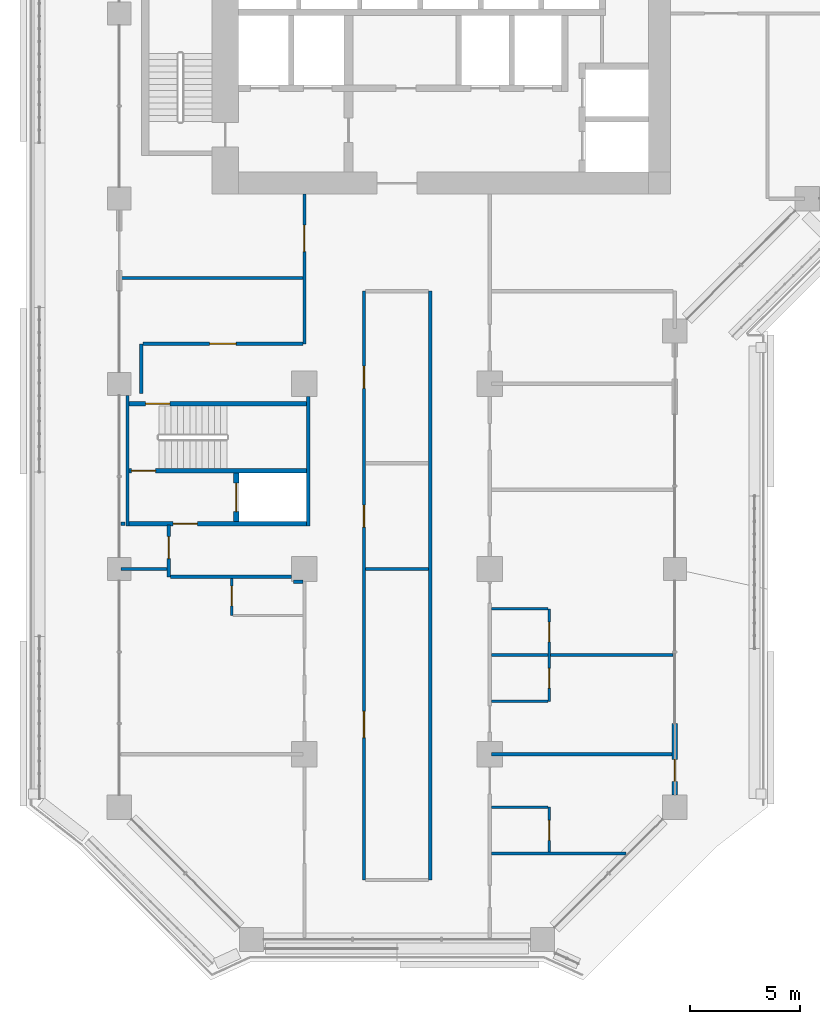
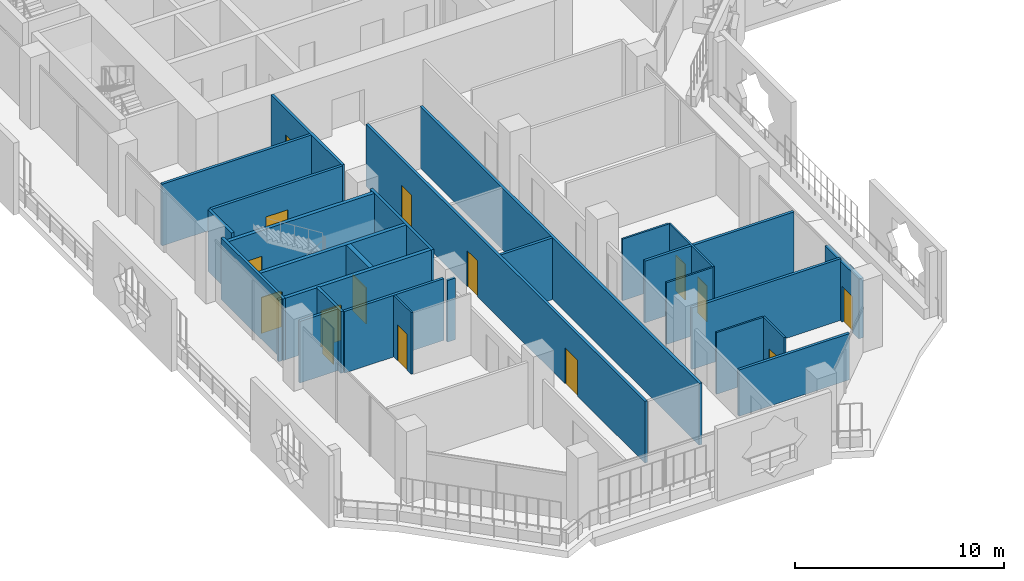
# One storey, part 12 of 25: 28 walls, 15 doors, 15 openings.
"""IFC4 building model written with IfcOpenShell, lengths in metres."""

from ifc_helpers import new_model, si_unit, direction, frame, frame_2d, origin, place, context, subcontext, project, spatial, rectangle, extrude, material, layer, layer_set, type_object, element, fill, save


model = new_model("IFC4")

# Units and contexts
model_context = context("Model", 3, precision=1e-05, world=origin(), true_north=direction((0.0, 1.0)))
body_context = subcontext(model_context, "Body", "Model", "MODEL_VIEW")
ifc_project = project(units=[si_unit("LENGTHUNIT", "METRE"), si_unit("AREAUNIT", "SQUARE_METRE"), si_unit("VOLUMEUNIT", "CUBIC_METRE"), si_unit("PLANEANGLEUNIT", "RADIAN"), si_unit("MASSUNIT", "GRAM", prefix="KILO")], contexts=[model_context])

# Site, building, storey
site_placement = place(None, origin())
site = spatial("IfcSite", under=ifc_project, at=site_placement, CompositionType="ELEMENT")
building_placement = place(site_placement, origin())
building = spatial("IfcBuilding", under=site, at=building_placement, Name="Kawkab Arch Medical Tower", CompositionType="ELEMENT")
storey_placement = place(building_placement, frame((0.0, 0.0, 124.0)))
storey = spatial("IfcBuildingStorey", under=building, at=storey_placement, Name="L28", CompositionType="ELEMENT", Elevation=124.0)

# Wall, opening, door
ifc_material_1 = material(Name="Concrete C60/75", Category="concrete")
ifc_layer_1 = layer(ifc_material_1, 0.25)
ifc_layer_set_1 = layer_set([ifc_layer_1], Name="Concrete C60/75")
wall_type_1 = type_object("IfcWallType", Name="Core shear wall 250 C60/75", PredefinedType="SHEAR", material=ifc_layer_set_1)
wall_1_placement = place(storey_placement, frame((5.300048828125, -39.85009765625, 0.0), z_axis=(0.0, 0.0, 1.0), x_axis=(0.0, 1.0, 0.0)))
wall_1 = element("IfcWall", 1, at=wall_1_placement, inside=storey, type_object=wall_type_1, Name="L28 core shear wall", PredefinedType="SHEAR", context=body_context, shape_type="SweptSolid", body=[
    extrude(rectangle(XDim=2.2001953125, YDim=0.25, at=frame_2d((1.10009765625, 0.0))), origin(), (0.0, 0.0, 1.0), 3.60009765625),
])
opening_1_placement = place(wall_1_placement, frame((0.449951171875, 0.0, 0.0)))
opening_1 = element("IfcOpeningElement", 2, at=opening_1_placement, cuts=wall_1, Name="Opening LD2", PredefinedType="OPENING", context=body_context, shape_type="SweptSolid", body=[
    extrude(rectangle(XDim=1.300048828125, YDim=2.10009765625, at=frame_2d((0.64990234375, 1.050048828125))), frame((0.0, 0.135009765625, 0.0), z_axis=(0.0, -1.0, 0.0), x_axis=(1.0, 0.0, 0.0)), (0.0, 0.0, 1.0), 0.27001953125),
])
ifc_material_2 = material(Name="Stainless steel lift door leaf", Category="steel")
door_type_1 = type_object("IfcDoorType", Name="Lift landing door 1300", OperationType="DOUBLE_DOOR_SLIDING", PredefinedType="DOOR", material=ifc_material_2)
door_1_placement = place(opening_1_placement, origin())
door_1 = element("IfcDoor", 3, at=door_1_placement, inside=storey, type_object=door_type_1, Name="L28 Lift landing door SV2", OperationType="DOUBLE_DOOR_SLIDING", OverallHeight=2.10009765625, OverallWidth=1.300048828125, PredefinedType="DOOR", context=body_context, shape_type="SweptSolid", body=[
    extrude(rectangle(XDim=1.300048828125, YDim=2.10009765625, at=frame_2d((0.64990234375, 1.050048828125))), frame((0.0, 0.02490234375, 0.0), z_axis=(0.0, -1.0, 0.0), x_axis=(1.0, 0.0, 0.0)), (0.0, 0.0, 1.0), 0.050048828125),
])
fill(opening_1, door_1)

ifc_material_3 = material(Name="Bronze clad insulated wall panel")
ifc_layer_2 = layer(ifc_material_3, 0.25)
ifc_layer_set_2 = layer_set([ifc_layer_2], Name="Bronze clad insulated wall panel")
wall_type_2 = type_object("IfcWallType", Name="External wall bay 250", PredefinedType="SOLIDWALL", material=ifc_layer_set_2)
wall_2_placement = place(storey_placement, frame((25.199951171875, -52.25, 0.0), z_axis=(0.0, 0.0, 1.0), x_axis=(0.0, 1.0, 0.0)))
wall_2 = element("IfcWall", 4, at=wall_2_placement, inside=storey, type_object=wall_type_2, Name="External wall bay L28.R05.1.1", PredefinedType="SOLIDWALL", context=body_context, shape_type="SweptSolid", body=[
    extrude(rectangle(XDim=3.24169921875, YDim=0.25, at=frame_2d((1.620849609375, 0.0))), origin(), (0.0, 0.0, 1.0), 3.47998046875),
])
opening_2_placement = place(wall_2_placement, frame((0.620849609375, 0.0, 0.0)))
opening_2 = element("IfcOpeningElement", 5, at=opening_2_placement, cuts=wall_2, Name="Opening W28-702", PredefinedType="OPENING", context=body_context, shape_type="SweptSolid", body=[
    extrude(rectangle(XDim=1.0, YDim=2.10009765625, at=frame_2d((0.5, 1.050048828125))), frame((0.0, 0.135009765625, 0.0), z_axis=(0.0, -1.0, 0.0), x_axis=(1.0, 0.0, 0.0)), (0.0, 0.0, 1.0), 0.27001953125),
])
ifc_material_4 = material(Name="Bronze anodised aluminium door with tinted glass", Category="aluminium")
door_type_2 = type_object("IfcDoorType", Name="Single external door 1000 x 2100", OperationType="SINGLE_SWING_LEFT", PredefinedType="DOOR", material=ifc_material_4)
door_2_placement = place(opening_2_placement, origin())
door_2 = element("IfcDoor", 6, at=door_2_placement, inside=storey, type_object=door_type_2, Name="External door L28.R05.1.1", OperationType="SINGLE_SWING_LEFT", OverallHeight=2.10009765625, OverallWidth=1.0, PredefinedType="DOOR", context=body_context, shape_type="SweptSolid", body=[
    extrude(rectangle(XDim=1.0, YDim=2.10009765625, at=frame_2d((0.5, 1.050048828125))), frame((0.0, 0.02490234375, 0.0), z_axis=(0.0, -1.0, 0.0), x_axis=(1.0, 0.0, 0.0)), (0.0, 0.0, 1.0), 0.050048828125),
])
fill(opening_2, door_2)

# Walls
ifc_material_5 = material(Name="Gypsum board partition on steel studs", Category="steel")
ifc_layer_3 = layer(ifc_material_5, 0.10009765625)
ifc_layer_set_3 = layer_set([ifc_layer_3], Name="Gypsum board partition on steel studs")
wall_type_3 = type_object("IfcWallType", Name="Partition 100", PredefinedType="PARTITIONING", material=ifc_layer_set_3)
for number, where, z_axis, x_axis, name in (
    (7, (16.875, -52.800048828125, 0.0), (0.0, 0.0, 1.0), (1.0, 0.0, 0.0), "Partition 100 w001"),
    (8, (16.875, -48.0, 0.0), (0.0, 0.0, 1.0), (1.0, 0.0, 0.0), "Partition 100 w002"),
):
    element("IfcWall", number, at=place(storey_placement, frame(where, z_axis=z_axis, x_axis=x_axis)), inside=storey, type_object=wall_type_3, Name=name, PredefinedType="PARTITIONING", context=body_context, shape_type="SweptSolid", body=[
        extrude(rectangle(XDim=2.574951171875, YDim=0.10009765625, at=frame_2d((1.28759765625, 0.0))), origin(), (0.0, 0.0, 1.0), 3.60009765625),
    ])
wall_3_placement = place(storey_placement, frame((16.875, -43.800048828125, 0.0), z_axis=(0.0, 0.0, 1.0), x_axis=(1.0, 0.0, 0.0)))
element("IfcWall", 9, at=wall_3_placement, inside=storey, type_object=wall_type_3, Name="Partition 100 w004", PredefinedType="PARTITIONING", context=body_context, shape_type="SweptSolid", body=[
    extrude(rectangle(XDim=2.573974609375, YDim=0.10009765625, at=frame_2d((1.287109375, 0.0))), origin(), (0.0, 0.0, 1.0), 3.60009765625),
])

# Wall, opening, door
wall_4_placement = place(storey_placement, frame((5.10009765625, -44.10009765625, 0.0), z_axis=(0.0, 0.0, 1.0), x_axis=(0.0, 1.0, 0.0)))
wall_4 = element("IfcWall", 10, at=wall_4_placement, inside=storey, type_object=wall_type_3, Name="Partition 100 w009", PredefinedType="PARTITIONING", context=body_context, shape_type="SweptSolid", body=[
    extrude(rectangle(XDim=1.675048828125, YDim=0.10009765625, at=frame_2d((0.83740234375, 0.0))), origin(), (0.0, 0.0, 1.0), 3.60009765625),
])
opening_3_placement = place(wall_4_placement, frame((0.425048828125, 0.0, 0.0)))
opening_3 = element("IfcOpeningElement", 11, at=opening_3_placement, cuts=wall_4, Name="Opening W28-013", PredefinedType="OPENING", context=body_context, shape_type="SweptSolid", body=[
    extrude(rectangle(XDim=0.89990234375, YDim=2.10009765625, at=frame_2d((0.449951171875, 1.050048828125))), frame((0.0, 0.06005859375, 0.0), z_axis=(0.0, -1.0, 0.0), x_axis=(1.0, 0.0, 0.0)), (0.0, 0.0, 1.0), 0.1201171875),
])
ifc_material_6 = material(Name="Timber door leaf", Category="wood")
door_type_3 = type_object("IfcDoorType", Name="Single door 900x2100", OperationType="NOTDEFINED", PredefinedType="DOOR", material=ifc_material_6)
door_3_placement = place(opening_3_placement, origin())
door_3 = element("IfcDoor", 12, at=door_3_placement, inside=storey, type_object=door_type_3, Name="Door W28-013", OperationType="SINGLE_SWING_RIGHT", OverallHeight=2.10009765625, OverallWidth=0.89990234375, PredefinedType="DOOR", context=body_context, shape_type="SweptSolid", body=[
    extrude(rectangle(XDim=0.89990234375, YDim=2.10009765625, at=frame_2d((0.449951171875, 1.050048828125))), frame((0.0, 0.02490234375, 0.0), z_axis=(0.0, -1.0, 0.0), x_axis=(1.0, 0.0, 0.0)), (0.0, 0.0, 1.0), 0.050048828125),
])
fill(opening_3, door_3)

wall_5_placement = place(storey_placement, frame((19.5, -54.824951171875, 0.0), z_axis=(0.0, 0.0, 1.0), x_axis=(0.0, 1.0, 0.0)))
wall_5 = element("IfcWall", 13, at=wall_5_placement, inside=storey, type_object=wall_type_3, Name="Partition 100 w010", PredefinedType="PARTITIONING", context=body_context, shape_type="SweptSolid", body=[
    extrude(rectangle(XDim=2.02490234375, YDim=0.10009765625, at=frame_2d((1.012451171875, 0.0))), origin(), (0.0, 0.0, 1.0), 3.60009765625),
])
opening_4_placement = place(wall_5_placement, frame((0.52490234375, 0.0, 0.0)))
opening_4 = element("IfcOpeningElement", 14, at=opening_4_placement, cuts=wall_5, Name="Opening W28-016", PredefinedType="OPENING", context=body_context, shape_type="SweptSolid", body=[
    extrude(rectangle(XDim=0.89990234375, YDim=2.10009765625, at=frame_2d((0.449951171875, 1.050048828125))), frame((0.0, 0.06005859375, 0.0), z_axis=(0.0, -1.0, 0.0), x_axis=(1.0, 0.0, 0.0)), (0.0, 0.0, 1.0), 0.1201171875),
])
door_4_placement = place(opening_4_placement, origin())
door_4 = element("IfcDoor", 15, at=door_4_placement, inside=storey, type_object=door_type_3, Name="Door W28-016", OperationType="SINGLE_SWING_RIGHT", OverallHeight=2.10009765625, OverallWidth=0.89990234375, PredefinedType="DOOR", context=body_context, shape_type="SweptSolid", body=[
    extrude(rectangle(XDim=0.89990234375, YDim=2.10009765625, at=frame_2d((0.449951171875, 1.050048828125))), frame((0.0, 0.02490234375, 0.0), z_axis=(0.0, -1.0, 0.0), x_axis=(1.0, 0.0, 0.0)), (0.0, 0.0, 1.0), 0.050048828125),
])
fill(opening_4, door_4)

# Wall, openings, doors
wall_6_placement = place(storey_placement, frame((19.5, -48.0, 0.0), z_axis=(0.0, 0.0, 1.0), x_axis=(0.0, 1.0, 0.0)))
wall_6 = element("IfcWall", 16, at=wall_6_placement, inside=storey, type_object=wall_type_3, Name="Partition 100 w011", PredefinedType="PARTITIONING", context=body_context, shape_type="SweptSolid", body=[
    extrude(rectangle(XDim=4.197998046875, YDim=0.10009765625, at=frame_2d((2.09912109375, 0.0))), origin(), (0.0, 0.0, 1.0), 3.60009765625),
])
opening_5_placement = place(wall_6_placement, frame((2.698974609375, 0.0, 0.0)))
opening_5 = element("IfcOpeningElement", 17, at=opening_5_placement, cuts=wall_6, Name="Opening W28-014", PredefinedType="OPENING", context=body_context, shape_type="SweptSolid", body=[
    extrude(rectangle(XDim=0.89990234375, YDim=2.10009765625, at=frame_2d((0.449951171875, 1.050048828125))), frame((0.0, 0.06005859375, 0.0), z_axis=(0.0, -1.0, 0.0), x_axis=(1.0, 0.0, 0.0)), (0.0, 0.0, 1.0), 0.1201171875),
])
opening_6_placement = place(wall_6_placement, frame((0.60009765625, 0.0, 0.0)))
opening_6 = element("IfcOpeningElement", 18, at=opening_6_placement, cuts=wall_6, Name="Opening W28-015", PredefinedType="OPENING", context=body_context, shape_type="SweptSolid", body=[
    extrude(rectangle(XDim=0.89990234375, YDim=2.10009765625, at=frame_2d((0.449951171875, 1.050048828125))), frame((0.0, 0.06005859375, 0.0), z_axis=(0.0, -1.0, 0.0), x_axis=(1.0, 0.0, 0.0)), (0.0, 0.0, 1.0), 0.1201171875),
])
door_5_placement = place(opening_5_placement, origin())
door_5 = element("IfcDoor", 19, at=door_5_placement, inside=storey, type_object=door_type_3, Name="Door W28-014", OperationType="SINGLE_SWING_LEFT", OverallHeight=2.10009765625, OverallWidth=0.89990234375, PredefinedType="DOOR", context=body_context, shape_type="SweptSolid", body=[
    extrude(rectangle(XDim=0.89990234375, YDim=2.10009765625, at=frame_2d((0.449951171875, 1.050048828125))), frame((0.0, 0.02490234375, 0.0), z_axis=(0.0, -1.0, 0.0), x_axis=(1.0, 0.0, 0.0)), (0.0, 0.0, 1.0), 0.050048828125),
])
fill(opening_5, door_5)
door_6_placement = place(opening_6_placement, origin())
door_6 = element("IfcDoor", 20, at=door_6_placement, inside=storey, type_object=door_type_3, Name="Door W28-015", OperationType="SINGLE_SWING_RIGHT", OverallHeight=2.10009765625, OverallWidth=0.89990234375, PredefinedType="DOOR", context=body_context, shape_type="SweptSolid", body=[
    extrude(rectangle(XDim=0.89990234375, YDim=2.10009765625, at=frame_2d((0.449951171875, 1.050048828125))), frame((0.0, 0.02490234375, 0.0), z_axis=(0.0, -1.0, 0.0), x_axis=(1.0, 0.0, 0.0)), (0.0, 0.0, 1.0), 0.050048828125),
])
fill(opening_6, door_6)

# Walls
ifc_material_7 = material(Name="Gypsum board partition on steel studs, mineral wool", Category="steel")
ifc_layer_4 = layer(ifc_material_7, 0.14990234375)
ifc_layer_set_4 = layer_set([ifc_layer_4], Name="Gypsum board partition on steel studs, mineral wool")
wall_type_4 = type_object("IfcWallType", Name="Partition 150", PredefinedType="PARTITIONING", material=ifc_layer_set_4)
wall_7_placement = place(storey_placement, frame((16.875, -54.89990234375, 0.0), z_axis=(0.0, 0.0, 1.0), x_axis=(1.0, 0.0, 0.0)))
element("IfcWall", 21, at=wall_7_placement, inside=storey, type_object=wall_type_4, Name="Partition 150 w020", PredefinedType="PARTITIONING", context=body_context, shape_type="SweptSolid", body=[
    extrude(rectangle(XDim=6.112060546875, YDim=0.14990234375, at=frame_2d((3.05615234375, 0.0))), origin(), (0.0, 0.0, 1.0), 2.699951171875),
])
for number, where, z_axis, x_axis, name in (
    (22, (16.875, -50.39990234375, 0.0), (0.0, 0.0, 1.0), (1.0, 0.0, 0.0), "Partition 150 w022"),
    (23, (16.875, -45.89990234375, 0.0), (0.0, 0.0, 1.0), (1.0, 0.0, 0.0), "Partition 150 w023"),
):
    element("IfcWall", number, at=place(storey_placement, frame(where, z_axis=z_axis, x_axis=x_axis)), inside=storey, type_object=wall_type_4, Name=name, PredefinedType="PARTITIONING", context=body_context, shape_type="SweptSolid", body=[
        extrude(rectangle(XDim=8.2451171875, YDim=0.14990234375, at=frame_2d((4.12255859375, 0.0))), origin(), (0.0, 0.0, 1.0), 3.60009765625),
    ])
wall_8_placement = place(storey_placement, frame((7.89990234375, -42.574951171875, 0.0), z_axis=(0.0, 0.0, 1.0), x_axis=(1.0, 0.0, 0.0)))
element("IfcWall", 24, at=wall_8_placement, inside=storey, type_object=wall_type_4, Name="Partition 150 w024", PredefinedType="PARTITIONING", context=body_context, shape_type="SweptSolid", body=[
    extrude(rectangle(XDim=0.425048828125, YDim=0.14990234375, at=frame_2d((0.21240234375, 0.0))), origin(), (0.0, 0.0, 1.0), 3.60009765625),
])
wall_9_placement = place(storey_placement, frame((2.324951171875, -42.35009765625, 0.0), z_axis=(0.0, 0.0, 1.0), x_axis=(1.0, 0.0, 0.0)))
element("IfcWall", 25, at=wall_9_placement, inside=storey, type_object=wall_type_4, Name="Partition 150 w025", PredefinedType="PARTITIONING", context=body_context, shape_type="SweptSolid", body=[
    extrude(rectangle(XDim=5.498046875, YDim=0.14990234375, at=frame_2d((2.7490234375, 0.0))), origin(), (0.0, 0.0, 1.0), 3.60009765625),
])
wall_10_placement = place(storey_placement, frame((0.080078125, -42.0, 0.0), z_axis=(0.0, 0.0, 1.0), x_axis=(1.0, 0.0, 0.0)))
element("IfcWall", 26, at=wall_10_placement, inside=storey, type_object=wall_type_4, Name="Partition 150 w026", PredefinedType="PARTITIONING", context=body_context, shape_type="SweptSolid", body=[
    extrude(rectangle(XDim=2.094970703125, YDim=0.14990234375, at=frame_2d((1.04736328125, 0.0))), origin(), (0.0, 0.0, 1.0), 3.60009765625),
])
wall_11_placement = place(storey_placement, frame((11.175048828125, -42.0, 0.0), z_axis=(0.0, 0.0, 1.0), x_axis=(1.0, 0.0, 0.0)))
element("IfcWall", 27, at=wall_11_placement, inside=storey, type_object=wall_type_4, Name="Partition 150 w027", PredefinedType="PARTITIONING", context=body_context, shape_type="SweptSolid", body=[
    extrude(rectangle(XDim=2.849853515625, YDim=0.14990234375, at=frame_2d((1.4248046875, 0.0))), origin(), (0.0, 0.0, 1.0), 3.60009765625),
])
wall_12_placement = place(storey_placement, frame((0.080078125, -39.949951171875, 0.0), z_axis=(0.0, 0.0, 1.0), x_axis=(1.0, 0.0, 0.0)))
element("IfcWall", 28, at=wall_12_placement, inside=storey, type_object=wall_type_4, Name="Partition 150 w028", PredefinedType="PARTITIONING", context=body_context, shape_type="SweptSolid", body=[
    extrude(rectangle(XDim=0.18994140625, YDim=0.14990234375, at=frame_2d((0.094970703125, 0.0))), origin(), (0.0, 0.0, 1.0), 3.60009765625),
])

# Wall, opening, door
wall_13_placement = place(storey_placement, frame((1.076904296875, -31.781982421875, 0.0), z_axis=(0.0, 0.0, 1.0), x_axis=(1.0, 0.0, 0.0)))
wall_13 = element("IfcWall", 29, at=wall_13_placement, inside=storey, type_object=wall_type_4, Name="Partition 150 w032", PredefinedType="PARTITIONING", context=body_context, shape_type="SweptSolid", body=[
    extrude(rectangle(XDim=7.248046875, YDim=0.14990234375, at=frame_2d((3.6240234375, 0.0))), origin(), (0.0, 0.0, 1.0), 3.60009765625),
])
opening_7_placement = place(wall_13_placement, frame((3.02392578125, 0.0, 0.0)))
opening_7 = element("IfcOpeningElement", 30, at=opening_7_placement, cuts=wall_13, Name="Opening W28-044", PredefinedType="OPENING", context=body_context, shape_type="SweptSolid", body=[
    extrude(rectangle(XDim=1.199951171875, YDim=2.10009765625, at=frame_2d((0.60009765625, 1.050048828125))), frame((0.0, 0.0849609375, 0.0), z_axis=(0.0, -1.0, 0.0), x_axis=(1.0, 0.0, 0.0)), (0.0, 0.0, 1.0), 0.169921875),
])
ifc_material_8 = material(Name="Hollow metal door leaf")
door_type_4 = type_object("IfcDoorType", Name="Single door 1200x2100 FD30S", OperationType="NOTDEFINED", PredefinedType="DOOR", material=ifc_material_8)
door_7_placement = place(opening_7_placement, origin())
door_7 = element("IfcDoor", 31, at=door_7_placement, inside=storey, type_object=door_type_4, Name="Door W28-044", OperationType="SINGLE_SWING_RIGHT", OverallHeight=2.10009765625, OverallWidth=1.199951171875, PredefinedType="DOOR", context=body_context, shape_type="SweptSolid", body=[
    extrude(rectangle(XDim=1.199951171875, YDim=2.10009765625, at=frame_2d((0.60009765625, 1.050048828125))), frame((0.0, 0.02490234375, 0.0), z_axis=(0.0, -1.0, 0.0), x_axis=(1.0, 0.0, 0.0)), (0.0, 0.0, 1.0), 0.050048828125),
])
fill(opening_7, door_7)

# Walls
wall_14_placement = place(storey_placement, frame((0.080078125, -28.800048828125, 0.0), z_axis=(0.0, 0.0, 1.0), x_axis=(1.0, 0.0, 0.0)))
element("IfcWall", 32, at=wall_14_placement, inside=storey, type_object=wall_type_4, Name="Partition 150 w035", PredefinedType="PARTITIONING", context=body_context, shape_type="SweptSolid", body=[
    extrude(rectangle(XDim=8.244873046875, YDim=0.14990234375, at=frame_2d((4.12255859375, 0.0))), origin(), (0.0, 0.0, 1.0), 3.60009765625),
])
wall_15_placement = place(storey_placement, frame((1.0, -34.048095703125, 0.0), z_axis=(0.0, 0.0, 1.0), x_axis=(0.0, 1.0, 0.0)))
element("IfcWall", 33, at=wall_15_placement, inside=storey, type_object=wall_type_4, Name="Partition 150 w053", PredefinedType="PARTITIONING", context=body_context, shape_type="SweptSolid", body=[
    extrude(rectangle(XDim=2.26513671875, YDim=0.14990234375, at=frame_2d((1.132568359375, 0.0))), origin(), (0.0, 0.0, 1.0), 3.60009765625),
])

# Wall, opening, door
wall_16_placement = place(storey_placement, frame((2.25, -42.35009765625, 0.0), z_axis=(0.0, 0.0, 1.0), x_axis=(0.0, 1.0, 0.0)))
wall_16 = element("IfcWall", 34, at=wall_16_placement, inside=storey, type_object=wall_type_4, Name="Partition 150 w054", PredefinedType="PARTITIONING", context=body_context, shape_type="SweptSolid", body=[
    extrude(rectangle(XDim=2.35009765625, YDim=0.14990234375, at=frame_2d((1.175048828125, 0.0))), origin(), (0.0, 0.0, 1.0), 3.60009765625),
])
opening_8_placement = place(wall_16_placement, frame((0.824951171875, 0.0, 0.0)))
opening_8 = element("IfcOpeningElement", 35, at=opening_8_placement, cuts=wall_16, Name="Opening W28-030", PredefinedType="OPENING", context=body_context, shape_type="SweptSolid", body=[
    extrude(rectangle(XDim=1.0, YDim=2.10009765625, at=frame_2d((0.5, 1.050048828125))), frame((0.0, 0.0849609375, 0.0), z_axis=(0.0, -1.0, 0.0), x_axis=(1.0, 0.0, 0.0)), (0.0, 0.0, 1.0), 0.169921875),
])
ifc_material_9 = material(Name="Hollow metal door leaf")
door_type_5 = type_object("IfcDoorType", Name="Single door 1000x2100 FD30S", OperationType="NOTDEFINED", PredefinedType="DOOR", material=ifc_material_9)
door_8_placement = place(opening_8_placement, origin())
door_8 = element("IfcDoor", 36, at=door_8_placement, inside=storey, type_object=door_type_5, Name="Door W28-030", OperationType="SINGLE_SWING_LEFT", OverallHeight=2.10009765625, OverallWidth=1.0, PredefinedType="DOOR", context=body_context, shape_type="SweptSolid", body=[
    extrude(rectangle(XDim=1.0, YDim=2.10009765625, at=frame_2d((0.5, 1.050048828125))), frame((0.0, 0.02490234375, 0.0), z_axis=(0.0, -1.0, 0.0), x_axis=(1.0, 0.0, 0.0)), (0.0, 0.0, 1.0), 0.050048828125),
])
fill(opening_8, door_8)

wall_17_placement = place(storey_placement, frame((8.39990234375, -31.781982421875, 0.0), z_axis=(0.0, 0.0, 1.0), x_axis=(0.0, 1.0, 0.0)))
wall_17 = element("IfcWall", 37, at=wall_17_placement, inside=storey, type_object=wall_type_4, Name="Partition 150 w056", PredefinedType="PARTITIONING", context=body_context, shape_type="SweptSolid", body=[
    extrude(rectangle(XDim=6.781982421875, YDim=0.14990234375, at=frame_2d((3.39111328125, 0.0))), origin(), (0.0, 0.0, 1.0), 3.60009765625),
])
opening_9_placement = place(wall_17_placement, frame((4.181884765625, 0.0, 0.0)))
opening_9 = element("IfcOpeningElement", 38, at=opening_9_placement, cuts=wall_17, Name="Opening W28-043", PredefinedType="OPENING", context=body_context, shape_type="SweptSolid", body=[
    extrude(rectangle(XDim=1.199951171875, YDim=2.10009765625, at=frame_2d((0.60009765625, 1.050048828125))), frame((0.0, 0.0849609375, 0.0), z_axis=(0.0, -1.0, 0.0), x_axis=(1.0, 0.0, 0.0)), (0.0, 0.0, 1.0), 0.169921875),
])
door_9_placement = place(opening_9_placement, origin())
door_9 = element("IfcDoor", 39, at=door_9_placement, inside=storey, type_object=door_type_4, Name="Door W28-043", OperationType="SINGLE_SWING_RIGHT", OverallHeight=2.10009765625, OverallWidth=1.199951171875, PredefinedType="DOOR", context=body_context, shape_type="SweptSolid", body=[
    extrude(rectangle(XDim=1.199951171875, YDim=2.10009765625, at=frame_2d((0.60009765625, 1.050048828125))), frame((0.0, 0.02490234375, 0.0), z_axis=(0.0, -1.0, 0.0), x_axis=(1.0, 0.0, 0.0)), (0.0, 0.0, 1.0), 0.050048828125),
])
fill(opening_9, door_9)

# Wall, openings, doors
wall_18_placement = place(storey_placement, frame((11.10009765625, -56.10009765625, 0.0), z_axis=(0.0, 0.0, 1.0), x_axis=(0.0, 1.0, 0.0)))
wall_18 = element("IfcWall", 40, at=wall_18_placement, inside=storey, type_object=wall_type_4, Name="Partition 150 w057", PredefinedType="PARTITIONING", context=body_context, shape_type="SweptSolid", body=[
    extrude(rectangle(XDim=26.7001953125, YDim=0.14990234375, at=frame_2d((13.35009765625, 0.0))), origin(), (0.0, 0.0, 1.0), 3.60009765625),
])
opening_10_placement = place(wall_18_placement, frame((22.300048828125, 0.0, 0.0)))
opening_10 = element("IfcOpeningElement", 41, at=opening_10_placement, cuts=wall_18, Name="Opening W28-031", PredefinedType="OPENING", context=body_context, shape_type="SweptSolid", body=[
    extrude(rectangle(XDim=1.0, YDim=2.10009765625, at=frame_2d((0.5, 1.050048828125))), frame((0.0, 0.0849609375, 0.0), z_axis=(0.0, -1.0, 0.0), x_axis=(1.0, 0.0, 0.0)), (0.0, 0.0, 1.0), 0.169921875),
])
opening_11_placement = place(wall_18_placement, frame((16.0, 0.0, 0.0)))
opening_11 = element("IfcOpeningElement", 42, at=opening_11_placement, cuts=wall_18, Name="Opening W28-032", PredefinedType="OPENING", context=body_context, shape_type="SweptSolid", body=[
    extrude(rectangle(XDim=1.0, YDim=2.10009765625, at=frame_2d((0.5, 1.050048828125))), frame((0.0, 0.0849609375, 0.0), z_axis=(0.0, -1.0, 0.0), x_axis=(1.0, 0.0, 0.0)), (0.0, 0.0, 1.0), 0.169921875),
])
opening_12_placement = place(wall_18_placement, frame((6.449951171875, 0.0, 0.0)))
opening_12 = element("IfcOpeningElement", 43, at=opening_12_placement, cuts=wall_18, Name="Opening W28-047", PredefinedType="OPENING", context=body_context, shape_type="SweptSolid", body=[
    extrude(rectangle(XDim=1.199951171875, YDim=2.10009765625, at=frame_2d((0.60009765625, 1.050048828125))), frame((0.0, 0.0849609375, 0.0), z_axis=(0.0, -1.0, 0.0), x_axis=(1.0, 0.0, 0.0)), (0.0, 0.0, 1.0), 0.169921875),
])
door_10_placement = place(opening_10_placement, origin())
door_10 = element("IfcDoor", 44, at=door_10_placement, inside=storey, type_object=door_type_5, Name="Door W28-031", OperationType="SINGLE_SWING_LEFT", OverallHeight=2.10009765625, OverallWidth=1.0, PredefinedType="DOOR", context=body_context, shape_type="SweptSolid", body=[
    extrude(rectangle(XDim=1.0, YDim=2.10009765625, at=frame_2d((0.5, 1.050048828125))), frame((0.0, 0.02490234375, 0.0), z_axis=(0.0, -1.0, 0.0), x_axis=(1.0, 0.0, 0.0)), (0.0, 0.0, 1.0), 0.050048828125),
])
fill(opening_10, door_10)
door_11_placement = place(opening_11_placement, origin())
door_11 = element("IfcDoor", 45, at=door_11_placement, inside=storey, type_object=door_type_5, Name="Door W28-032", OperationType="SINGLE_SWING_LEFT", OverallHeight=2.10009765625, OverallWidth=1.0, PredefinedType="DOOR", context=body_context, shape_type="SweptSolid", body=[
    extrude(rectangle(XDim=1.0, YDim=2.10009765625, at=frame_2d((0.5, 1.050048828125))), frame((0.0, 0.02490234375, 0.0), z_axis=(0.0, -1.0, 0.0), x_axis=(1.0, 0.0, 0.0)), (0.0, 0.0, 1.0), 0.050048828125),
])
fill(opening_11, door_11)
door_12_placement = place(opening_12_placement, origin())
door_12 = element("IfcDoor", 46, at=door_12_placement, inside=storey, type_object=door_type_4, Name="Door W28-047", OperationType="SINGLE_SWING_RIGHT", OverallHeight=2.10009765625, OverallWidth=1.199951171875, PredefinedType="DOOR", context=body_context, shape_type="SweptSolid", body=[
    extrude(rectangle(XDim=1.199951171875, YDim=2.10009765625, at=frame_2d((0.60009765625, 1.050048828125))), frame((0.0, 0.02490234375, 0.0), z_axis=(0.0, -1.0, 0.0), x_axis=(1.0, 0.0, 0.0)), (0.0, 0.0, 1.0), 0.050048828125),
])
fill(opening_12, door_12)

# Walls
wall_19_placement = place(storey_placement, frame((14.10009765625, -56.10009765625, 0.0), z_axis=(0.0, 0.0, 1.0), x_axis=(0.0, 1.0, 0.0)))
element("IfcWall", 47, at=wall_19_placement, inside=storey, type_object=wall_type_4, Name="Partition 150 w058", PredefinedType="PARTITIONING", context=body_context, shape_type="SweptSolid", body=[
    extrude(rectangle(XDim=26.7001953125, YDim=0.14990234375, at=frame_2d((13.35009765625, 0.0))), origin(), (0.0, 0.0, 1.0), 3.60009765625),
])
ifc_material_10 = material(Name="Concrete C50/60", Category="concrete")
ifc_layer_5 = layer(ifc_material_10, 0.14990234375)
ifc_layer_set_5 = layer_set([ifc_layer_5], Name="Concrete C50/60")
wall_type_5 = type_object("IfcWallType", Name="Stair enclosure wall 150 C50/60", PredefinedType="SHEAR", material=ifc_layer_set_5)
wall_20_placement = place(storey_placement, frame((0.375, -40.050048828125, 0.0), z_axis=(0.0, 0.0, 1.0), x_axis=(0.0, 1.0, 0.0)))
element("IfcWall", 48, at=wall_20_placement, inside=storey, type_object=wall_type_5, Name="L28 stair enclosure wall", PredefinedType="SHEAR", context=body_context, shape_type="SweptSolid", body=[
    extrude(rectangle(XDim=5.925048828125, YDim=0.14990234375, at=frame_2d((2.96240234375, 0.0))), origin(), (0.0, 0.0, 1.0), 3.60009765625),
])
wall_21_placement = place(storey_placement, frame((8.574951171875, -40.050048828125, 0.0), z_axis=(0.0, 0.0, 1.0), x_axis=(0.0, 1.0, 0.0)))
element("IfcWall", 49, at=wall_21_placement, inside=storey, type_object=wall_type_5, Name="L28 stair enclosure wall", PredefinedType="SHEAR", context=body_context, shape_type="SweptSolid", body=[
    extrude(rectangle(XDim=5.875, YDim=0.14990234375, at=frame_2d((2.9375, 0.0))), origin(), (0.0, 0.0, 1.0), 3.60009765625),
])

# Wall, opening, door
ifc_material_11 = material(Name="Concrete C50/60", Category="concrete")
ifc_layer_6 = layer(ifc_material_11, 0.199951171875)
ifc_layer_set_6 = layer_set([ifc_layer_6], Name="Concrete C50/60")
wall_type_6 = type_object("IfcWallType", Name="Stair enclosure wall 200 C50/60", PredefinedType="SHEAR", material=ifc_layer_set_6)
wall_22_placement = place(storey_placement, frame((0.449951171875, -34.5, 0.0), z_axis=(0.0, 0.0, 1.0), x_axis=(1.0, 0.0, 0.0)))
wall_22 = element("IfcWall", 50, at=wall_22_placement, inside=storey, type_object=wall_type_6, Name="L28 stair enclosure wall", PredefinedType="SHEAR", context=body_context, shape_type="SweptSolid", body=[
    extrude(rectangle(XDim=8.050048828125, YDim=0.199951171875, at=frame_2d((4.02490234375, 0.0))), origin(), (0.0, 0.0, 1.0), 3.60009765625),
])
opening_13_placement = place(wall_22_placement, frame((0.75, 0.0, 0.0)))
opening_13 = element("IfcOpeningElement", 51, at=opening_13_placement, cuts=wall_22, Name="Opening SD", PredefinedType="OPENING", context=body_context, shape_type="SweptSolid", body=[
    extrude(rectangle(XDim=1.10009765625, YDim=2.10009765625, at=frame_2d((0.550048828125, 1.050048828125))), frame((0.0, 0.10986328125, 0.0), z_axis=(0.0, -1.0, 0.0), x_axis=(1.0, 0.0, 0.0)), (0.0, 0.0, 1.0), 0.219970703125),
])
ifc_material_12 = material(Name="Hollow metal fire door leaf")
door_type_6 = type_object("IfcDoorType", Name="Exit stair door 1100", OperationType="SINGLE_SWING_LEFT", PredefinedType="DOOR", material=ifc_material_12)
door_13_placement = place(opening_13_placement, origin())
door_13 = element("IfcDoor", 52, at=door_13_placement, inside=storey, type_object=door_type_6, Name="L28 Exit stair ST6 door", OperationType="SINGLE_SWING_LEFT", OverallHeight=2.10009765625, OverallWidth=1.10009765625, PredefinedType="DOOR", context=body_context, shape_type="SweptSolid", body=[
    extrude(rectangle(XDim=1.10009765625, YDim=2.10009765625, at=frame_2d((0.550048828125, 1.050048828125))), frame((0.0, 0.02490234375, 0.0), z_axis=(0.0, -1.0, 0.0), x_axis=(1.0, 0.0, 0.0)), (0.0, 0.0, 1.0), 0.050048828125),
])
fill(opening_13, door_13)

wall_23_placement = place(storey_placement, frame((0.449951171875, -37.550048828125, 0.0), z_axis=(0.0, 0.0, 1.0), x_axis=(1.0, 0.0, 0.0)))
wall_23 = element("IfcWall", 53, at=wall_23_placement, inside=storey, type_object=wall_type_6, Name="L28 stair enclosure wall", PredefinedType="SHEAR", context=body_context, shape_type="SweptSolid", body=[
    extrude(rectangle(XDim=8.050048828125, YDim=0.199951171875, at=frame_2d((4.02490234375, 0.0))), origin(), (0.0, 0.0, 1.0), 3.60009765625),
])
opening_14_placement = place(wall_23_placement, frame((0.10009765625, 0.0, 0.0)))
opening_14 = element("IfcOpeningElement", 54, at=opening_14_placement, cuts=wall_23, Name="Opening SD", PredefinedType="OPENING", context=body_context, shape_type="SweptSolid", body=[
    extrude(rectangle(XDim=1.10009765625, YDim=2.10009765625, at=frame_2d((0.550048828125, 1.050048828125))), frame((0.0, 0.10986328125, 0.0), z_axis=(0.0, -1.0, 0.0), x_axis=(1.0, 0.0, 0.0)), (0.0, 0.0, 1.0), 0.219970703125),
])
door_14_placement = place(opening_14_placement, frame((1.10009765625, 0.0, 0.0), z_axis=(0.0, 0.0, 1.0), x_axis=(-1.0, 0.0, 0.0)))
door_14 = element("IfcDoor", 55, at=door_14_placement, inside=storey, type_object=door_type_6, Name="L28 Exit stair ST6 lobby door", OperationType="SINGLE_SWING_LEFT", OverallHeight=2.10009765625, OverallWidth=1.10009765625, PredefinedType="DOOR", context=body_context, shape_type="SweptSolid", body=[
    extrude(rectangle(XDim=1.10009765625, YDim=2.10009765625, at=frame_2d((0.550048828125, 1.050048828125))), frame((0.0, 0.02490234375, 0.0), z_axis=(0.0, -1.0, 0.0), x_axis=(1.0, 0.0, 0.0)), (0.0, 0.0, 1.0), 0.050048828125),
])
fill(opening_14, door_14)

wall_24_placement = place(storey_placement, frame((0.449951171875, -39.949951171875, 0.0), z_axis=(0.0, 0.0, 1.0), x_axis=(1.0, 0.0, 0.0)))
wall_24 = element("IfcWall", 56, at=wall_24_placement, inside=storey, type_object=wall_type_6, Name="L28 stair enclosure wall", PredefinedType="SHEAR", context=body_context, shape_type="SweptSolid", body=[
    extrude(rectangle(XDim=8.050048828125, YDim=0.199951171875, at=frame_2d((4.02490234375, 0.0))), origin(), (0.0, 0.0, 1.0), 3.60009765625),
])
opening_15_placement = place(wall_24_placement, frame((2.0, 0.0, 0.0)))
opening_15 = element("IfcOpeningElement", 57, at=opening_15_placement, cuts=wall_24, Name="Opening FD", PredefinedType="OPENING", context=body_context, shape_type="SweptSolid", body=[
    extrude(rectangle(XDim=1.10009765625, YDim=2.10009765625, at=frame_2d((0.550048828125, 1.050048828125))), frame((0.0, 0.10986328125, 0.0), z_axis=(0.0, -1.0, 0.0), x_axis=(1.0, 0.0, 0.0)), (0.0, 0.0, 1.0), 0.219970703125),
])
ifc_material_13 = material(Name="Hollow metal fire door leaf")
door_type_7 = type_object("IfcDoorType", Name="Firefighting lobby door 1100", OperationType="SINGLE_SWING_LEFT", PredefinedType="DOOR", material=ifc_material_13)
door_15_placement = place(opening_15_placement, origin())
door_15 = element("IfcDoor", 58, at=door_15_placement, inside=storey, type_object=door_type_7, Name="L28 Service lift lobby door SV2", OperationType="SINGLE_SWING_LEFT", OverallHeight=2.10009765625, OverallWidth=1.10009765625, PredefinedType="DOOR", context=body_context, shape_type="SweptSolid", body=[
    extrude(rectangle(XDim=1.10009765625, YDim=2.10009765625, at=frame_2d((0.550048828125, 1.050048828125))), frame((0.0, 0.02490234375, 0.0), z_axis=(0.0, -1.0, 0.0), x_axis=(1.0, 0.0, 0.0)), (0.0, 0.0, 1.0), 0.050048828125),
])
fill(opening_15, door_15)

save(model, "model.ifc")
